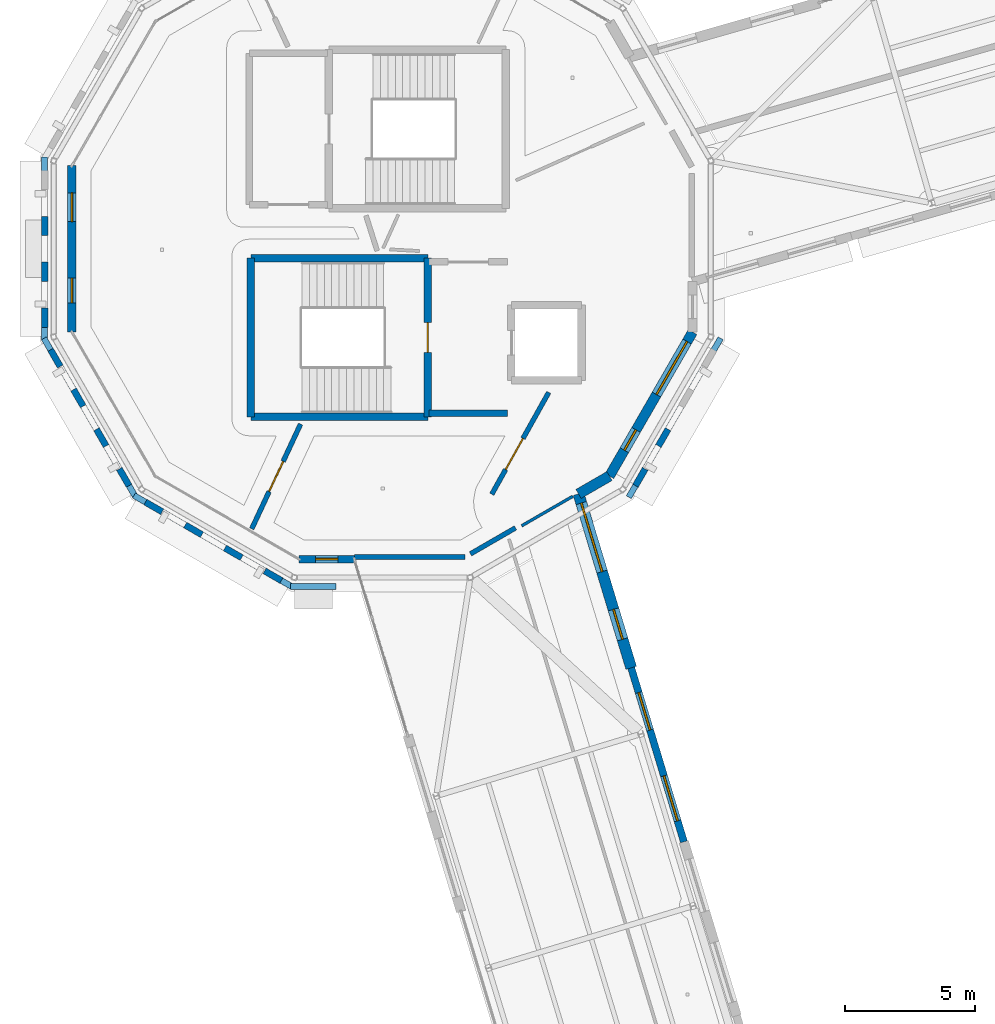
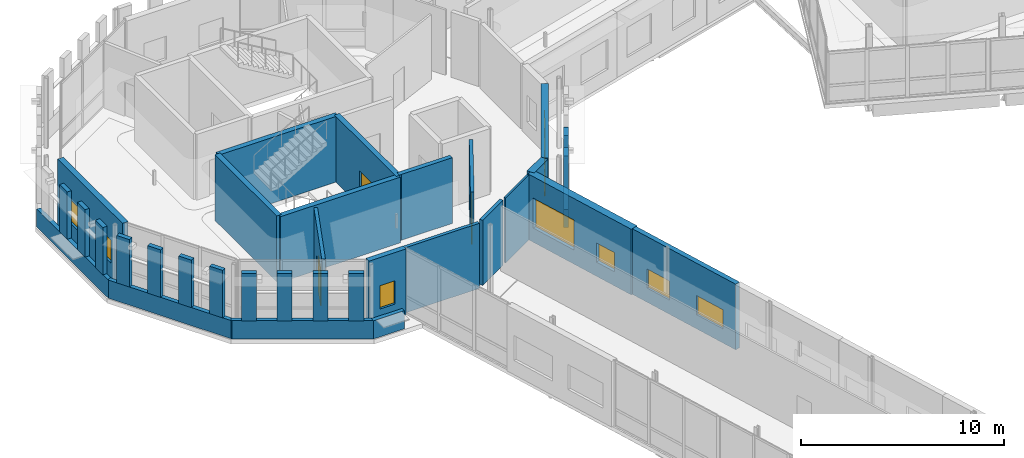
# One storey, part 92 of 125: 34 walls, 9 windows, 3 doors, 12 openings.
"""IFC4 building model written with IfcOpenShell, lengths in metres."""

from ifc_helpers import new_model, si_unit, direction, frame, frame_2d, origin, place, context, subcontext, project, spatial, rectangle, extrude, material, layer, layer_set, type_object, element, fill, save


model = new_model("IFC4")

# Units and contexts
model_context = context("Model", 3, precision=1e-05, world=origin(), true_north=direction((0.0, 1.0)))
body_context = subcontext(model_context, "Body", "Model", "MODEL_VIEW")
ifc_project = project(units=[si_unit("LENGTHUNIT", "METRE"), si_unit("AREAUNIT", "SQUARE_METRE"), si_unit("VOLUMEUNIT", "CUBIC_METRE"), si_unit("PLANEANGLEUNIT", "RADIAN"), si_unit("MASSUNIT", "GRAM", prefix="KILO")], contexts=[model_context])

# Site, building, storey
site_placement = place(None, origin())
site = spatial("IfcSite", under=ifc_project, at=site_placement, CompositionType="ELEMENT")
building_placement = place(site_placement, origin())
building = spatial("IfcBuilding", under=site, at=building_placement, Name="Wrenclough Park School", CompositionType="ELEMENT")
storey_placement = place(building_placement, frame((0.0, 0.0, 4.199951171875)))
storey = spatial("IfcBuildingStorey", under=building, at=storey_placement, Name="L01", CompositionType="ELEMENT", Elevation=4.199951171875)

# Walls
ifc_material_1 = material(Name="Perforated open-bond Staffordshire and Manchester brick screen pier", Category="masonry")
ifc_layer_1 = layer(ifc_material_1, 0.2451171875)
ifc_layer_set_1 = layer_set([ifc_layer_1], Name="Perforated open-bond Staffordshire and Manchester brick screen pier")
wall_type_1 = type_object("IfcWallType", Name="ENV-BS-PR245", PredefinedType="ELEMENTEDWALL", material=ifc_layer_set_1)
for number, where, z_axis, x_axis, name in (
    (1, (3.54345703125, 90.74951171875, 1.090087890625), (0.0, 0.0, 1.0), (0.0, -1.0, 0.0), "D3 L01 perforated brick screen pier 0294"),
    (2, (3.54345703125, 88.989501953125, 1.090087890625), (0.0, 0.0, 1.0), (0.0, -1.0, 0.0), "D3 L01 perforated brick screen pier 0295"),
    (3, (3.54345703125, 87.2294921875, 1.090087890625), (0.0, 0.0, 1.0), (0.0, -1.0, 0.0), "D3 L01 perforated brick screen pier 0296"),
    (4, (3.7744140625, 85.6279296875, 1.090087890625), (0.0, 0.0, 1.0), (0.500189527592, -0.865915952323, 0.0), "D3 L01 perforated brick screen pier 0297"),
):
    element("IfcWall", number, at=place(storey_placement, frame(where, z_axis=z_axis, x_axis=x_axis)), inside=storey, type_object=wall_type_1, Name=name, PredefinedType="ELEMENTEDWALL", context=body_context, shape_type="SweptSolid", body=[
        extrude(rectangle(XDim=0.739013671875, YDim=0.2451171875, at=frame_2d((0.36962890625, 0.0))), origin(), (0.0, 0.0, 1.0), 2.849853515625),
    ])
wall_1_placement = place(storey_placement, frame((4.654541015625, 84.103759765625, 1.090087890625), z_axis=(0.0, 0.0, 1.0), x_axis=(0.499941746681, -0.866059033742, 0.0)))
element("IfcWall", 5, at=wall_1_placement, inside=storey, type_object=wall_type_1, Name="D3 L01 perforated brick screen pier 0298", PredefinedType="ELEMENTEDWALL", context=body_context, shape_type="SweptSolid", body=[
    extrude(rectangle(XDim=0.73876953125, YDim=0.2451171875, at=frame_2d((0.369384765625, 0.0))), origin(), (0.0, 0.0, 1.0), 2.849853515625),
])
for number, where, z_axis, x_axis, name in (
    (6, (5.534423828125, 82.57958984375, 1.090087890625), (0.0, 0.0, 1.0), (0.500189527592, -0.865915952323, 0.0), "D3 L01 perforated brick screen pier 0299"),
    (7, (6.41455078125, 81.055419921875, 1.090087890625), (0.0, 0.0, 1.0), (0.499798711192, -0.866141586746, 0.0), "D3 L01 perforated brick screen pier 0300"),
    (8, (7.415283203125, 79.783935546875, 1.090087890625), (0.0, 0.0, 1.0), (0.866141586746, -0.499798711192, 0.0), "D3 L01 perforated brick screen pier 0301"),
    (9, (8.939697265625, 78.904052734375, 1.090087890625), (0.0, 0.0, 1.0), (0.865915952323, -0.500189527592, 0.0), "D3 L01 perforated brick screen pier 0302"),
):
    element("IfcWall", number, at=place(storey_placement, frame(where, z_axis=z_axis, x_axis=x_axis)), inside=storey, type_object=wall_type_1, Name=name, PredefinedType="ELEMENTEDWALL", context=body_context, shape_type="SweptSolid", body=[
        extrude(rectangle(XDim=0.739013671875, YDim=0.2451171875, at=frame_2d((0.36962890625, 0.0))), origin(), (0.0, 0.0, 1.0), 2.849853515625),
    ])
wall_2_placement = place(storey_placement, frame((10.4638671875, 78.02392578125, 1.090087890625), z_axis=(0.0, 0.0, 1.0), x_axis=(0.866059033742, -0.499941746681, 0.0)))
element("IfcWall", 10, at=wall_2_placement, inside=storey, type_object=wall_type_1, Name="D3 L01 perforated brick screen pier 0303", PredefinedType="ELEMENTEDWALL", context=body_context, shape_type="SweptSolid", body=[
    extrude(rectangle(XDim=0.73876953125, YDim=0.2451171875, at=frame_2d((0.369384765625, 0.0))), origin(), (0.0, 0.0, 1.0), 2.849853515625),
])
for number, where, z_axis, x_axis, name in (
    (11, (11.988037109375, 77.14404296875, 1.090087890625), (0.0, 0.0, 1.0), (0.865915952323, -0.500189527592, 0.0), "D3 L01 perforated brick screen pier 0304"),
    (12, (26.216064453125, 80.415283203125, 1.090087890625), (0.0, 0.0, 1.0), (0.499798711192, 0.866141586746, 0.0), "D3 L01 perforated brick screen pier 0305"),
    (13, (27.095947265625, 81.939697265625, 1.090087890625), (0.0, 0.0, 1.0), (0.500189527592, 0.865915952323, 0.0), "D3 L01 perforated brick screen pier 0306"),
):
    element("IfcWall", number, at=place(storey_placement, frame(where, z_axis=z_axis, x_axis=x_axis)), inside=storey, type_object=wall_type_1, Name=name, PredefinedType="ELEMENTEDWALL", context=body_context, shape_type="SweptSolid", body=[
        extrude(rectangle(XDim=0.739013671875, YDim=0.2451171875, at=frame_2d((0.36962890625, 0.0))), origin(), (0.0, 0.0, 1.0), 2.849853515625),
    ])
ifc_material_2 = material(Name="Open-bond Manchester multi-stock brick spandrel screen", Category="masonry")
ifc_layer_2 = layer(ifc_material_2, 0.22509765625)
ifc_layer_set_2 = layer_set([ifc_layer_2], Name="Open-bond Manchester multi-stock brick spandrel screen")
wall_type_2 = type_object("IfcWallType", Name="ENV-BS-SP225", PredefinedType="ELEMENTEDWALL", material=ifc_layer_set_2)
wall_3_placement = place(storey_placement, frame((3.54345703125, 93.02001953125, 0.0), z_axis=(0.0, 0.0, 1.0), x_axis=(0.0, -1.0, 0.0)))
element("IfcWall", 14, at=wall_3_placement, inside=storey, type_object=wall_type_2, Name="D3 L01 open-bond brick screen spandrel 0079", PredefinedType="ELEMENTEDWALL", context=body_context, shape_type="SweptSolid", body=[
    extrude(rectangle(XDim=7.0400390625, YDim=0.22509765625, at=frame_2d((3.52001953125, 0.0))), origin(), (0.0, 0.0, 1.0), 1.090087890625),
])
for number, where, z_axis, x_axis, name in (
    (15, (3.519287109375, 86.070068359375, 0.0), (0.0, 0.0, 1.0), (0.500010639957, -0.866019260715, 0.0), "D3 L01 open-bond brick screen spandrel 0080"),
    (16, (6.973388671875, 80.039306640625, 0.0), (0.0, 0.0, 1.0), (0.866019260715, -0.500010639957, 0.0), "D3 L01 open-bond brick screen spandrel 0081"),
):
    element("IfcWall", number, at=place(storey_placement, frame(where, z_axis=z_axis, x_axis=x_axis)), inside=storey, type_object=wall_type_2, Name=name, PredefinedType="ELEMENTEDWALL", context=body_context, shape_type="SweptSolid", body=[
        extrude(rectangle(XDim=7.039794921875, YDim=0.22509765625, at=frame_2d((3.52001953125, 0.0))), origin(), (0.0, 0.0, 1.0), 1.090087890625),
    ])
wall_4_placement = place(storey_placement, frame((12.97998046875, 76.54345703125, 0.0), z_axis=(0.0, 0.0, 1.0), x_axis=(1.0, 0.0, 0.0)))
element("IfcWall", 17, at=wall_4_placement, inside=storey, type_object=wall_type_2, Name="D3 L01 open-bond brick screen spandrel 0082", PredefinedType="ELEMENTEDWALL", context=body_context, shape_type="SweptSolid", body=[
    extrude(rectangle(XDim=1.751708984375, YDim=0.22509765625, at=frame_2d((0.8759765625, 0.0))), origin(), (0.0, 0.0, 1.0), 1.090087890625),
])
wall_5_placement = place(storey_placement, frame((25.960693359375, 79.973388671875, 0.0), z_axis=(0.0, 0.0, 1.0), x_axis=(0.500010639957, 0.866019260715, 0.0)))
element("IfcWall", 18, at=wall_5_placement, inside=storey, type_object=wall_type_2, Name="D3 L01 open-bond brick screen spandrel 0083", PredefinedType="ELEMENTEDWALL", context=body_context, shape_type="SweptSolid", body=[
    extrude(rectangle(XDim=7.039794921875, YDim=0.22509765625, at=frame_2d((3.52001953125, 0.0))), origin(), (0.0, 0.0, 1.0), 1.090087890625),
])

# Wall, openings, windows
ifc_material_3 = material(Name="Link wing brick-faced cavity wall Concrete C32/40", Category="masonry")
ifc_layer_3 = layer(ifc_material_3, 0.27490234375)
ifc_layer_set_3 = layer_set([ifc_layer_3], Name="Link wing brick-faced cavity wall Concrete C32/40")
wall_type_3 = type_object("IfcWallType", Name="ENV-EW-275", PredefinedType="SOLIDWALL", material=ifc_layer_set_3)
wall_6_placement = place(storey_placement, frame((26.05224609375, 73.42529296875, 0.0), z_axis=(0.0, 0.0, 1.0), x_axis=(0.29003168505, -0.957017043561, 0.0)))
wall_6 = element("IfcWall", 19, at=wall_6_placement, inside=storey, type_object=wall_type_3, Name="L01 insulated brick external wall 0134", PredefinedType="SOLIDWALL", context=body_context, shape_type="SweptSolid", body=[
    extrude(rectangle(XDim=6.97412109375, YDim=0.27490234375, at=frame_2d((3.487060546875, 0.0))), origin(), (0.0, 0.0, 1.0), 3.93994140625),
])
opening_1_placement = place(wall_6_placement, frame((0.993408203125, 0.0, 0.85009765625)))
opening_1 = element("IfcOpeningElement", 20, at=opening_1_placement, cuts=wall_6, Name="Opening WN-38", PredefinedType="OPENING", context=body_context, shape_type="SweptSolid", body=[
    extrude(rectangle(XDim=1.5, YDim=1.14990234375, at=frame_2d((0.75, 0.574951171875))), frame((0.0, 0.1474609375, 0.0), z_axis=(0.0, -1.0, 0.0), x_axis=(1.0, 0.0, 0.0)), (0.0, 0.0, 1.0), 0.294921875),
])
opening_2_placement = place(wall_6_placement, frame((4.33056640625, 0.0, 0.85009765625)))
opening_2 = element("IfcOpeningElement", 21, at=opening_2_placement, cuts=wall_6, Name="Opening WN-39", PredefinedType="OPENING", context=body_context, shape_type="SweptSolid", body=[
    extrude(rectangle(XDim=1.800048828125, YDim=1.14990234375, at=frame_2d((0.89990234375, 0.574951171875))), frame((0.0, 0.1474609375, 0.0), z_axis=(0.0, -1.0, 0.0), x_axis=(1.0, 0.0, 0.0)), (0.0, 0.0, 1.0), 0.294921875),
])
ifc_material_4 = material(Name="Thermally broken aluminium and double-glazed low-e glass", Category="aluminium")
window_type_1 = type_object("IfcWindowType", Name="ENV-WN-38", PartitioningType="DOUBLE_PANEL_VERTICAL", PredefinedType="WINDOW", material=ifc_material_4)
window_1_placement = place(opening_1_placement, origin())
window_1 = element("IfcWindow", 22, at=window_1_placement, inside=storey, type_object=window_type_1, Name="L01 scheduled facade window 0205", OverallHeight=1.14990234375, OverallWidth=1.5, PartitioningType="SINGLE_PANEL", PredefinedType="WINDOW", context=body_context, shape_type="SweptSolid", body=[
    extrude(rectangle(XDim=1.5, YDim=1.14990234375, at=frame_2d((0.75, 0.574951171875))), frame((0.0, 0.030029296875, 0.0), z_axis=(0.0, -1.0, 0.0), x_axis=(1.0, 0.0, 0.0)), (0.0, 0.0, 1.0), 0.06005859375),
])
fill(opening_1, window_1)
window_type_2 = type_object("IfcWindowType", Name="ENV-WN-39", PartitioningType="DOUBLE_PANEL_VERTICAL", PredefinedType="WINDOW", material=ifc_material_4)
window_2_placement = place(opening_2_placement, origin())
window_2 = element("IfcWindow", 23, at=window_2_placement, inside=storey, type_object=window_type_2, Name="L01 scheduled facade window 0206", OverallHeight=1.14990234375, OverallWidth=1.800048828125, PartitioningType="SINGLE_PANEL", PredefinedType="WINDOW", context=body_context, shape_type="SweptSolid", body=[
    extrude(rectangle(XDim=1.800048828125, YDim=1.14990234375, at=frame_2d((0.89990234375, 0.574951171875))), frame((0.0, 0.030029296875, 0.0), z_axis=(0.0, -1.0, 0.0), x_axis=(1.0, 0.0, 0.0)), (0.0, 0.0, 1.0), 0.06005859375),
])
fill(opening_2, window_2)

# Wall, opening, window
ifc_material_5 = material(Name="Manchester multi-stock brick and Concrete C32/40 inner leaf", Category="masonry")
ifc_layer_4 = layer(ifc_material_5, 0.300048828125)
ifc_layer_set_4 = layer_set([ifc_layer_4], Name="Manchester multi-stock brick and Concrete C32/40 inner leaf")
wall_type_4 = type_object("IfcWallType", Name="ENV-EW-300", PredefinedType="SOLIDWALL", material=ifc_layer_set_4)
wall_7_placement = place(storey_placement, frame((15.4267578125, 77.59423828125, 0.0), z_axis=(0.0, 0.0, 1.0), x_axis=(-1.0, 0.0, 0.0)))
wall_7 = element("IfcWall", 24, at=wall_7_placement, inside=storey, type_object=wall_type_4, Name="L01 insulated brick external wall 0080", PredefinedType="SOLIDWALL", context=body_context, shape_type="SweptSolid", body=[
    extrude(rectangle(XDim=2.116943359375, YDim=0.300048828125, at=frame_2d((1.05859375, 0.0))), origin(), (0.0, 0.0, 1.0), 3.93994140625),
])
opening_3_placement = place(wall_7_placement, frame((0.633544921875, 0.0, 0.85009765625)))
opening_3 = element("IfcOpeningElement", 25, at=opening_3_placement, cuts=wall_7, Name="Opening WN-01", PredefinedType="OPENING", context=body_context, shape_type="SweptSolid", body=[
    extrude(rectangle(XDim=0.85009765625, YDim=1.39990234375, at=frame_2d((0.425048828125, 0.699951171875))), frame((0.0, 0.159912109375, 0.0), z_axis=(0.0, -1.0, 0.0), x_axis=(1.0, 0.0, 0.0)), (0.0, 0.0, 1.0), 0.320068359375),
])
window_type_3 = type_object("IfcWindowType", Name="ENV-WN-01", PartitioningType="SINGLE_PANEL", PredefinedType="WINDOW", material=ifc_material_4)
window_3_placement = place(opening_3_placement, origin())
window_3 = element("IfcWindow", 26, at=window_3_placement, inside=storey, type_object=window_type_3, Name="L01 scheduled facade window 0112", OverallHeight=1.39990234375, OverallWidth=0.85009765625, PartitioningType="SINGLE_PANEL", PredefinedType="WINDOW", context=body_context, shape_type="SweptSolid", body=[
    extrude(rectangle(XDim=0.85009765625, YDim=1.39990234375, at=frame_2d((0.425048828125, 0.699951171875))), frame((0.0, 0.030029296875, 0.0), z_axis=(0.0, -1.0, 0.0), x_axis=(1.0, 0.0, 0.0)), (0.0, 0.0, 1.0), 0.06005859375),
])
fill(opening_3, window_3)

# Wall, openings, windows
ifc_layer_5 = layer(ifc_material_5, 0.324951171875)
ifc_layer_set_5 = layer_set([ifc_layer_5], Name="Manchester multi-stock brick and Concrete C32/40 inner leaf")
wall_type_5 = type_object("IfcWallType", Name="ENV-EW-325", PredefinedType="SOLIDWALL", material=ifc_layer_set_5)
wall_8_placement = place(storey_placement, frame((4.59423828125, 86.309814453125, 0.0), z_axis=(0.0, 0.0, 1.0), x_axis=(0.0, 1.0, 0.0)))
wall_8 = element("IfcWall", 27, at=wall_8_placement, inside=storey, type_object=wall_type_5, Name="L01 insulated brick external wall 0081", PredefinedType="SOLIDWALL", context=body_context, shape_type="SweptSolid", body=[
    extrude(rectangle(XDim=6.38037109375, YDim=0.324951171875, at=frame_2d((3.190185546875, 0.0))), origin(), (0.0, 0.0, 1.0), 3.93994140625),
])
opening_4_placement = place(wall_8_placement, frame((1.1201171875, 0.0, 0.85009765625)))
opening_4 = element("IfcOpeningElement", 28, at=opening_4_placement, cuts=wall_8, Name="Opening WN-02", PredefinedType="OPENING", context=body_context, shape_type="SweptSolid", body=[
    extrude(rectangle(XDim=0.949951171875, YDim=1.39990234375, at=frame_2d((0.47509765625, 0.699951171875))), frame((0.0, 0.17236328125, 0.0), z_axis=(0.0, -1.0, 0.0), x_axis=(1.0, 0.0, 0.0)), (0.0, 0.0, 1.0), 0.344970703125),
])
opening_5_placement = place(wall_8_placement, frame((4.2353515625, 0.0, 0.85009765625)))
opening_5 = element("IfcOpeningElement", 29, at=opening_5_placement, cuts=wall_8, Name="Opening WN-03", PredefinedType="OPENING", context=body_context, shape_type="SweptSolid", body=[
    extrude(rectangle(XDim=1.10009765625, YDim=1.39990234375, at=frame_2d((0.550048828125, 0.699951171875))), frame((0.0, 0.17236328125, 0.0), z_axis=(0.0, -1.0, 0.0), x_axis=(1.0, 0.0, 0.0)), (0.0, 0.0, 1.0), 0.344970703125),
])
window_type_4 = type_object("IfcWindowType", Name="ENV-WN-02", PartitioningType="SINGLE_PANEL", PredefinedType="WINDOW", material=ifc_material_4)
window_4_placement = place(opening_4_placement, origin())
window_4 = element("IfcWindow", 30, at=window_4_placement, inside=storey, type_object=window_type_4, Name="L01 scheduled facade window 0113", OverallHeight=1.39990234375, OverallWidth=0.949951171875, PartitioningType="SINGLE_PANEL", PredefinedType="WINDOW", context=body_context, shape_type="SweptSolid", body=[
    extrude(rectangle(XDim=0.949951171875, YDim=1.39990234375, at=frame_2d((0.47509765625, 0.699951171875))), frame((0.0, 0.030029296875, 0.0), z_axis=(0.0, -1.0, 0.0), x_axis=(1.0, 0.0, 0.0)), (0.0, 0.0, 1.0), 0.06005859375),
])
fill(opening_4, window_4)
window_type_5 = type_object("IfcWindowType", Name="ENV-WN-03", PartitioningType="SINGLE_PANEL", PredefinedType="WINDOW", material=ifc_material_4)
window_5_placement = place(opening_5_placement, origin())
window_5 = element("IfcWindow", 31, at=window_5_placement, inside=storey, type_object=window_type_5, Name="L01 scheduled facade window 0114", OverallHeight=1.39990234375, OverallWidth=1.10009765625, PartitioningType="SINGLE_PANEL", PredefinedType="WINDOW", context=body_context, shape_type="SweptSolid", body=[
    extrude(rectangle(XDim=1.10009765625, YDim=1.39990234375, at=frame_2d((0.550048828125, 0.699951171875))), frame((0.0, 0.030029296875, 0.0), z_axis=(0.0, -1.0, 0.0), x_axis=(1.0, 0.0, 0.0)), (0.0, 0.0, 1.0), 0.06005859375),
])
fill(opening_5, window_5)

ifc_material_6 = material(Name="Manchester multi-stock brick and Concrete C35/45 inner leaf", Category="masonry")
ifc_layer_6 = layer(ifc_material_6, 0.3798828125)
ifc_layer_set_6 = layer_set([ifc_layer_6], Name="Manchester multi-stock brick and Concrete C35/45 inner leaf")
wall_type_6 = type_object("IfcWallType", Name="ENV-EW-380", PredefinedType="SOLIDWALL", material=ifc_layer_set_6)
wall_9_placement = place(storey_placement, frame((28.40576171875, 86.309814453125, 0.0), z_axis=(0.0, 0.0, 1.0), x_axis=(-0.499966461314, -0.866044766488, 0.0)))
wall_9 = element("IfcWall", 32, at=wall_9_placement, inside=storey, type_object=wall_type_6, Name="L01 insulated brick external wall 0131", PredefinedType="SOLIDWALL", context=body_context, shape_type="SweptSolid", body=[
    extrude(rectangle(XDim=6.38037109375, YDim=0.3798828125, at=frame_2d((3.190185546875, 0.0))), origin(), (0.0, 0.0, 1.0), 3.93994140625),
])
opening_6_placement = place(wall_9_placement, frame((0.420166015625, 0.0, 0.85009765625)))
opening_6 = element("IfcOpeningElement", 33, at=opening_6_placement, cuts=wall_9, Name="Opening WN-34", PredefinedType="OPENING", context=body_context, shape_type="SweptSolid", body=[
    extrude(rectangle(XDim=2.35009765625, YDim=1.800048828125, at=frame_2d((1.175048828125, 0.89990234375))), frame((0.0, 0.199951171875, 0.0), z_axis=(0.0, -1.0, 0.0), x_axis=(1.0, 0.0, 0.0)), (0.0, 0.0, 1.0), 0.39990234375),
])
opening_7_placement = place(wall_9_placement, frame((4.335205078125, 0.0, 0.85009765625)))
opening_7 = element("IfcOpeningElement", 34, at=opening_7_placement, cuts=wall_9, Name="Opening WN-13", PredefinedType="OPENING", context=body_context, shape_type="SweptSolid", body=[
    extrude(rectangle(XDim=0.89990234375, YDim=1.60009765625, at=frame_2d((0.449951171875, 0.800048828125))), frame((0.0, 0.199951171875, 0.0), z_axis=(0.0, -1.0, 0.0), x_axis=(1.0, 0.0, 0.0)), (0.0, 0.0, 1.0), 0.39990234375),
])
window_type_6 = type_object("IfcWindowType", Name="ENV-WN-13", PartitioningType="SINGLE_PANEL", PredefinedType="WINDOW", material=ifc_material_4)
window_6_placement = place(opening_7_placement, origin())
window_6 = element("IfcWindow", 35, at=window_6_placement, inside=storey, type_object=window_type_6, Name="L01 scheduled facade window 0202", OverallHeight=1.60009765625, OverallWidth=0.89990234375, PartitioningType="SINGLE_PANEL", PredefinedType="WINDOW", context=body_context, shape_type="SweptSolid", body=[
    extrude(rectangle(XDim=0.89990234375, YDim=1.60009765625, at=frame_2d((0.449951171875, 0.800048828125))), frame((0.0, 0.030029296875, 0.0), z_axis=(0.0, -1.0, 0.0), x_axis=(1.0, 0.0, 0.0)), (0.0, 0.0, 1.0), 0.06005859375),
])
fill(opening_7, window_6)
window_type_7 = type_object("IfcWindowType", Name="ENV-WN-34", PartitioningType="DOUBLE_PANEL_VERTICAL", PredefinedType="WINDOW", material=ifc_material_4)
window_7_placement = place(opening_6_placement, origin())
window_7 = element("IfcWindow", 36, at=window_7_placement, inside=storey, type_object=window_type_7, Name="L01 scheduled facade window 0201", OverallHeight=1.800048828125, OverallWidth=2.35009765625, PartitioningType="SINGLE_PANEL", PredefinedType="WINDOW", context=body_context, shape_type="SweptSolid", body=[
    extrude(rectangle(XDim=2.35009765625, YDim=1.800048828125, at=frame_2d((1.175048828125, 0.89990234375))), frame((0.0, 0.030029296875, 0.0), z_axis=(0.0, -1.0, 0.0), x_axis=(1.0, 0.0, 0.0)), (0.0, 0.0, 1.0), 0.06005859375),
])
fill(opening_6, window_7)

# Wall
ifc_material_7 = material(Name="Staffordshire blue-grey brick and Concrete C40/50 acoustic leaf", Category="masonry")
ifc_layer_7 = layer(ifc_material_7, 0.39990234375)
ifc_layer_set_7 = layer_set([ifc_layer_7], Name="Staffordshire blue-grey brick and Concrete C40/50 acoustic leaf")
wall_type_7 = type_object("IfcWallType", Name="ENV-EW-400", PredefinedType="SOLIDWALL", material=ifc_layer_set_7)
wall_10_placement = place(storey_placement, frame((25.2158203125, 80.7841796875, 0.0), z_axis=(0.0, 0.0, 1.0), x_axis=(-0.866084655132, -0.499897359611, 0.0)))
element("IfcWall", 37, at=wall_10_placement, inside=storey, type_object=wall_type_7, Name="L01 insulated brick external wall 0132", PredefinedType="SOLIDWALL", context=body_context, shape_type="SweptSolid", body=[
    extrude(rectangle(XDim=1.369384765625, YDim=0.39990234375, at=frame_2d((0.6845703125, 0.0))), origin(), (0.0, 0.0, 1.0), 3.93994140625),
])

# Wall, openings, windows
ifc_material_8 = material(Name="Insulated brick-clad sports hall wall Concrete C40/50", Category="masonry")
ifc_layer_8 = layer(ifc_material_8, 0.425048828125)
ifc_layer_set_8 = layer_set([ifc_layer_8], Name="Insulated brick-clad sports hall wall Concrete C40/50")
wall_type_8 = type_object("IfcWallType", Name="ENV-EW-425", PredefinedType="SOLIDWALL", material=ifc_layer_set_8)
wall_11_placement = place(storey_placement, frame((24.02978515625, 80.099609375, 0.0), z_axis=(0.0, 0.0, 1.0), x_axis=(0.289999622439, -0.957026759806, 0.0)))
wall_11 = element("IfcWall", 38, at=wall_11_placement, inside=storey, type_object=wall_type_8, Name="L01 insulated brick external wall 0133", PredefinedType="SOLIDWALL", context=body_context, shape_type="SweptSolid", body=[
    extrude(rectangle(XDim=6.97412109375, YDim=0.425048828125, at=frame_2d((3.487060546875, 0.0))), origin(), (0.0, 0.0, 1.0), 3.93994140625),
])
opening_8_placement = place(wall_11_placement, frame((0.368408203125, 0.0, 0.85009765625)))
opening_8 = element("IfcOpeningElement", 39, at=opening_8_placement, cuts=wall_11, Name="Opening WN-36", PredefinedType="OPENING", context=body_context, shape_type="SweptSolid", body=[
    extrude(rectangle(XDim=2.75, YDim=1.800048828125, at=frame_2d((1.375, 0.89990234375))), frame((0.0, 0.222412109375, 0.0), z_axis=(0.0, -1.0, 0.0), x_axis=(1.0, 0.0, 0.0)), (0.0, 0.0, 1.0), 0.445068359375),
])
opening_9_placement = place(wall_11_placement, frame((4.630615234375, 0.0, 0.85009765625)))
opening_9 = element("IfcOpeningElement", 40, at=opening_9_placement, cuts=wall_11, Name="Opening WN-37", PredefinedType="OPENING", context=body_context, shape_type="SweptSolid", body=[
    extrude(rectangle(XDim=1.199951171875, YDim=1.14990234375, at=frame_2d((0.60009765625, 0.574951171875))), frame((0.0, 0.222412109375, 0.0), z_axis=(0.0, -1.0, 0.0), x_axis=(1.0, 0.0, 0.0)), (0.0, 0.0, 1.0), 0.445068359375),
])
window_type_8 = type_object("IfcWindowType", Name="ENV-WN-36", PartitioningType="DOUBLE_PANEL_VERTICAL", PredefinedType="WINDOW", material=ifc_material_4)
window_8_placement = place(opening_8_placement, origin())
window_8 = element("IfcWindow", 41, at=window_8_placement, inside=storey, type_object=window_type_8, Name="L01 scheduled facade window 0203", OverallHeight=1.800048828125, OverallWidth=2.75, PartitioningType="SINGLE_PANEL", PredefinedType="WINDOW", context=body_context, shape_type="SweptSolid", body=[
    extrude(rectangle(XDim=2.75, YDim=1.800048828125, at=frame_2d((1.375, 0.89990234375))), frame((0.0, 0.030029296875, 0.0), z_axis=(0.0, -1.0, 0.0), x_axis=(1.0, 0.0, 0.0)), (0.0, 0.0, 1.0), 0.06005859375),
])
fill(opening_8, window_8)
window_type_9 = type_object("IfcWindowType", Name="ENV-WN-37", PartitioningType="SINGLE_PANEL", PredefinedType="WINDOW", material=ifc_material_4)
window_9_placement = place(opening_9_placement, origin())
window_9 = element("IfcWindow", 42, at=window_9_placement, inside=storey, type_object=window_type_9, Name="L01 scheduled facade window 0204", OverallHeight=1.14990234375, OverallWidth=1.199951171875, PartitioningType="SINGLE_PANEL", PredefinedType="WINDOW", context=body_context, shape_type="SweptSolid", body=[
    extrude(rectangle(XDim=1.199951171875, YDim=1.14990234375, at=frame_2d((0.60009765625, 0.574951171875))), frame((0.0, 0.030029296875, 0.0), z_axis=(0.0, -1.0, 0.0), x_axis=(1.0, 0.0, 0.0)), (0.0, 0.0, 1.0), 0.06005859375),
])
fill(opening_9, window_9)

# Walls
ifc_material_9 = material(Name="Concrete C35/45", Category="concrete")
ifc_layer_9 = layer(ifc_material_9, 0.25)
ifc_layer_set_9 = layer_set([ifc_layer_9], Name="Concrete C35/45")
wall_type_9 = type_object("IfcWallType", Name="INT-CW-250", PredefinedType="SHEAR", material=ifc_layer_set_9)
wall_12_placement = place(storey_placement, frame((18.300048828125, 83.199951171875, 0.0), z_axis=(0.0, 0.0, 1.0), x_axis=(1.0, 0.0, 0.0)))
element("IfcWall", 43, at=wall_12_placement, inside=storey, type_object=wall_type_9, Name="Core C3 L01 lobby fire wall south", PredefinedType="SHEAR", context=body_context, shape_type="SweptSolid", body=[
    extrude(rectangle(XDim=3.0, YDim=0.25, at=frame_2d((1.5, 0.0))), origin(), (0.0, 0.0, 1.0), 3.949951171875),
])
ifc_material_10 = material(Name="Concrete C40/50", Category="concrete")
ifc_layer_10 = layer(ifc_material_10, 0.2900390625)
ifc_layer_set_10 = layer_set([ifc_layer_10], Name="Concrete C40/50")
wall_type_10 = type_object("IfcWallType", Name="INT-CW-290", PredefinedType="SHEAR", material=ifc_layer_set_10)
wall_13_placement = place(storey_placement, frame((11.455078125, 83.054931640625, 0.0), z_axis=(0.0, 0.0, 1.0), x_axis=(1.0, 0.0, 0.0)))
element("IfcWall", 44, at=wall_13_placement, inside=storey, type_object=wall_type_10, Name="Core C3 L01 south shear wall", PredefinedType="SHEAR", context=body_context, shape_type="SweptSolid", body=[
    extrude(rectangle(XDim=6.7900390625, YDim=0.2900390625, at=frame_2d((3.39501953125, 0.0))), origin(), (0.0, 0.0, 1.0), 3.949951171875),
])

# Wall, opening, door
wall_14_placement = place(storey_placement, frame((18.2451171875, 83.054931640625, 0.0), z_axis=(0.0, 0.0, 1.0), x_axis=(0.0, 1.0, 0.0)))
wall_14 = element("IfcWall", 45, at=wall_14_placement, inside=storey, type_object=wall_type_10, Name="Core C3 L01 east shear wall", PredefinedType="SHEAR", context=body_context, shape_type="SweptSolid", body=[
    extrude(rectangle(XDim=6.090087890625, YDim=0.2900390625, at=frame_2d((3.044921875, 0.0))), origin(), (0.0, 0.0, 1.0), 3.949951171875),
])
opening_10_placement = place(wall_14_placement, frame((2.469970703125, 0.0, 0.0)))
opening_10 = element("IfcOpeningElement", 46, at=opening_10_placement, cuts=wall_14, Name="Opening DST-C3-L01", PredefinedType="OPENING", context=body_context, shape_type="SweptSolid", body=[
    extrude(rectangle(XDim=1.14990234375, YDim=2.10009765625, at=frame_2d((0.574951171875, 1.050048828125))), frame((0.0, 0.155029296875, 0.0), z_axis=(0.0, -1.0, 0.0), x_axis=(1.0, 0.0, 0.0)), (0.0, 0.0, 1.0), 0.31005859375),
])
ifc_material_11 = material(Name="Protected escape stair single fire door assembly", Category="wood")
door_type_1 = type_object("IfcDoorType", Name="INT-DR-ST115", OperationType="NOTDEFINED", PredefinedType="DOOR", material=ifc_material_11)
door_1_placement = place(opening_10_placement, origin())
door_1 = element("IfcDoor", 47, at=door_1_placement, inside=storey, type_object=door_type_1, Name="Stair ST-03 L01 fire door", OperationType="SINGLE_SWING_RIGHT", OverallHeight=2.10009765625, OverallWidth=1.14990234375, PredefinedType="DOOR", context=body_context, shape_type="SweptSolid", body=[
    extrude(rectangle(XDim=1.14990234375, YDim=2.10009765625, at=frame_2d((0.574951171875, 1.050048828125))), frame((0.0, 0.02490234375, 0.0), z_axis=(0.0, -1.0, 0.0), x_axis=(1.0, 0.0, 0.0)), (0.0, 0.0, 1.0), 0.050048828125),
])
fill(opening_10, door_1)

# Walls
wall_15_placement = place(storey_placement, frame((18.2451171875, 89.14501953125, 0.0), z_axis=(0.0, 0.0, 1.0), x_axis=(-1.0, 0.0, 0.0)))
element("IfcWall", 48, at=wall_15_placement, inside=storey, type_object=wall_type_10, Name="Core C3 L01 north shear wall", PredefinedType="SHEAR", context=body_context, shape_type="SweptSolid", body=[
    extrude(rectangle(XDim=6.7900390625, YDim=0.2900390625, at=frame_2d((3.39501953125, 0.0))), origin(), (0.0, 0.0, 1.0), 3.949951171875),
])
wall_16_placement = place(storey_placement, frame((11.455078125, 89.14501953125, 0.0), z_axis=(0.0, 0.0, 1.0), x_axis=(0.0, -1.0, 0.0)))
element("IfcWall", 49, at=wall_16_placement, inside=storey, type_object=wall_type_10, Name="Core C3 L01 west shear wall", PredefinedType="SHEAR", context=body_context, shape_type="SweptSolid", body=[
    extrude(rectangle(XDim=6.090087890625, YDim=0.2900390625, at=frame_2d((3.044921875, 0.0))), origin(), (0.0, 0.0, 1.0), 3.949951171875),
])
ifc_material_12 = material(Name="Lightweight fire-rated store partition", Category="gypsum")
ifc_layer_11 = layer(ifc_material_12, 0.110107421875)
ifc_layer_set_11 = layer_set([ifc_layer_11], Name="Lightweight fire-rated store partition")
wall_type_11 = type_object("IfcWallType", Name="INT-PW-110", PredefinedType="PARTITIONING", material=ifc_layer_set_11)
wall_17_placement = place(storey_placement, frame((23.809814453125, 80.007080078125, 0.0), z_axis=(0.0, 0.0, 1.0), x_axis=(-0.866077830353, -0.499909183523, 0.0)))
element("IfcWall", 50, at=wall_17_placement, inside=storey, type_object=wall_type_11, Name="L01 internal partition 0282", PredefinedType="PARTITIONING", context=body_context, shape_type="SweptSolid", body=[
    extrude(rectangle(XDim=2.263671875, YDim=0.110107421875, at=frame_2d((1.1318359375, 0.0))), origin(), (0.0, 0.0, 1.0), 3.900146484375),
])

# Wall, opening, door
ifc_material_13 = material(Name="Laboratory fire and acoustic partition", Category="gypsum")
ifc_layer_12 = layer(ifc_material_13, 0.18505859375)
ifc_layer_set_12 = layer_set([ifc_layer_12], Name="Laboratory fire and acoustic partition")
wall_type_12 = type_object("IfcWallType", Name="INT-PW-185", PredefinedType="PARTITIONING", material=ifc_layer_set_12)
wall_18_placement = place(storey_placement, frame((11.49169921875, 78.759521484375, 0.0), z_axis=(0.0, 0.0, 1.0), x_axis=(0.42259603242, 0.906318152407, 0.0)))
wall_18 = element("IfcWall", 51, at=wall_18_placement, inside=storey, type_object=wall_type_12, Name="L01 internal partition 0240", PredefinedType="PARTITIONING", context=body_context, shape_type="SweptSolid", body=[
    extrude(rectangle(XDim=4.433349609375, YDim=0.18505859375, at=frame_2d((2.216796875, 0.0))), origin(), (0.0, 0.0, 1.0), 3.9150390625),
])
opening_11_placement = place(wall_18_placement, frame((1.57666015625, 0.0, 0.0)))
opening_11 = element("IfcOpeningElement", 52, at=opening_11_placement, cuts=wall_18, Name="Opening DR-L01-039", PredefinedType="OPENING", context=body_context, shape_type="SweptSolid", body=[
    extrude(rectangle(XDim=1.280029296875, YDim=2.139892578125, at=frame_2d((0.64013671875, 1.06982421875))), frame((0.0, 0.1025390625, 0.0), z_axis=(0.0, -1.0, 0.0), x_axis=(1.0, 0.0, 0.0)), (0.0, 0.0, 1.0), 0.205078125),
])
ifc_material_14 = material(Name="Junior science laboratory leaf-and-a-half door assembly", Category="wood")
door_type_2 = type_object("IfcDoorType", Name="INT-DR-LAB128", OperationType="NOTDEFINED", PredefinedType="DOOR", material=ifc_material_14)
door_2_placement = place(opening_11_placement, origin())
door_2 = element("IfcDoor", 53, at=door_2_placement, inside=storey, type_object=door_type_2, Name="Robotics Science Laboratory door DR-L01-039", OperationType="SINGLE_SWING_RIGHT", OverallHeight=2.139892578125, OverallWidth=1.280029296875, PredefinedType="DOOR", context=body_context, shape_type="SweptSolid", body=[
    extrude(rectangle(XDim=1.280029296875, YDim=2.139892578125, at=frame_2d((0.64013671875, 1.06982421875))), frame((0.0, 0.02490234375, 0.0), z_axis=(0.0, -1.0, 0.0), x_axis=(1.0, 0.0, 0.0)), (0.0, 0.0, 1.0), 0.050048828125),
])
fill(opening_11, door_2)

# Walls
wall_19_placement = place(storey_placement, frame((15.4287109375, 77.67431640625, 0.0), z_axis=(0.0, 0.0, 1.0), x_axis=(1.0, 0.0, 0.0)))
element("IfcWall", 54, at=wall_19_placement, inside=storey, type_object=wall_type_12, Name="L01 internal partition 0241", PredefinedType="PARTITIONING", context=body_context, shape_type="SweptSolid", body=[
    extrude(rectangle(XDim=4.239990234375, YDim=0.18505859375, at=frame_2d((2.1201171875, 0.0))), origin(), (0.0, 0.0, 1.0), 3.9150390625),
])
wall_20_placement = place(storey_placement, frame((19.885009765625, 77.799072265625, 0.0), z_axis=(0.0, 0.0, 1.0), x_axis=(0.866012320003, 0.50002266109, 0.0)))
element("IfcWall", 55, at=wall_20_placement, inside=storey, type_object=wall_type_12, Name="L01 internal partition 0242", PredefinedType="PARTITIONING", context=body_context, shape_type="SweptSolid", body=[
    extrude(rectangle(XDim=1.99462890625, YDim=0.18505859375, at=frame_2d((0.997314453125, 0.0))), origin(), (0.0, 0.0, 1.0), 3.9150390625),
])

# Wall, opening, door
wall_21_placement = place(storey_placement, frame((20.702392578125, 80.08740234375, 0.0), z_axis=(0.0, 0.0, 1.0), x_axis=(0.488053581958, 0.872813669198, 0.0)))
wall_21 = element("IfcWall", 56, at=wall_21_placement, inside=storey, type_object=wall_type_12, Name="L01 internal partition 0243", PredefinedType="PARTITIONING", context=body_context, shape_type="SweptSolid", body=[
    extrude(rectangle(XDim=4.4765625, YDim=0.18505859375, at=frame_2d((2.23828125, 0.0))), origin(), (0.0, 0.0, 1.0), 3.9150390625),
])
opening_12_placement = place(wall_21_placement, frame((1.0908203125, 0.0, 0.0)))
opening_12 = element("IfcOpeningElement", 57, at=opening_12_placement, cuts=wall_21, Name="Opening DR-L01-040", PredefinedType="OPENING", context=body_context, shape_type="SweptSolid", body=[
    extrude(rectangle(XDim=1.360107421875, YDim=2.139892578125, at=frame_2d((0.68017578125, 1.06982421875))), frame((0.0, 0.1025390625, 0.0), z_axis=(0.0, -1.0, 0.0), x_axis=(1.0, 0.0, 0.0)), (0.0, 0.0, 1.0), 0.205078125),
])
ifc_material_15 = material(Name="Senior science laboratory leaf-and-a-half door assembly", Category="wood")
door_type_3 = type_object("IfcDoorType", Name="INT-DR-LAB136", OperationType="NOTDEFINED", PredefinedType="DOOR", material=ifc_material_15)
door_3_placement = place(opening_12_placement, origin())
door_3 = element("IfcDoor", 58, at=door_3_placement, inside=storey, type_object=door_type_3, Name="Electronics Science Laboratory door DR-L01-040", OperationType="SINGLE_SWING_LEFT", OverallHeight=2.139892578125, OverallWidth=1.360107421875, PredefinedType="DOOR", context=body_context, shape_type="SweptSolid", body=[
    extrude(rectangle(XDim=1.360107421875, YDim=2.139892578125, at=frame_2d((0.68017578125, 1.06982421875))), frame((0.0, 0.02490234375, 0.0), z_axis=(0.0, -1.0, 0.0), x_axis=(1.0, 0.0, 0.0)), (0.0, 0.0, 1.0), 0.050048828125),
])
fill(opening_12, door_3)

save(model, "model.ifc")
